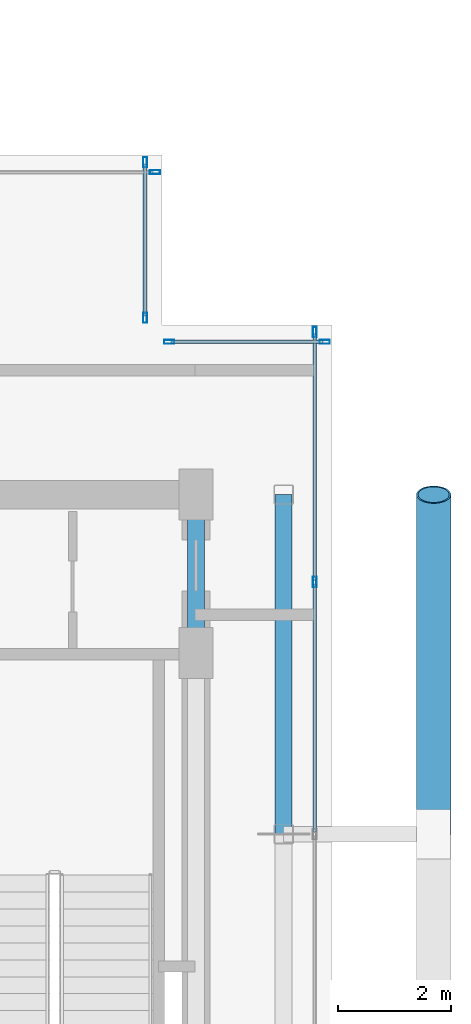
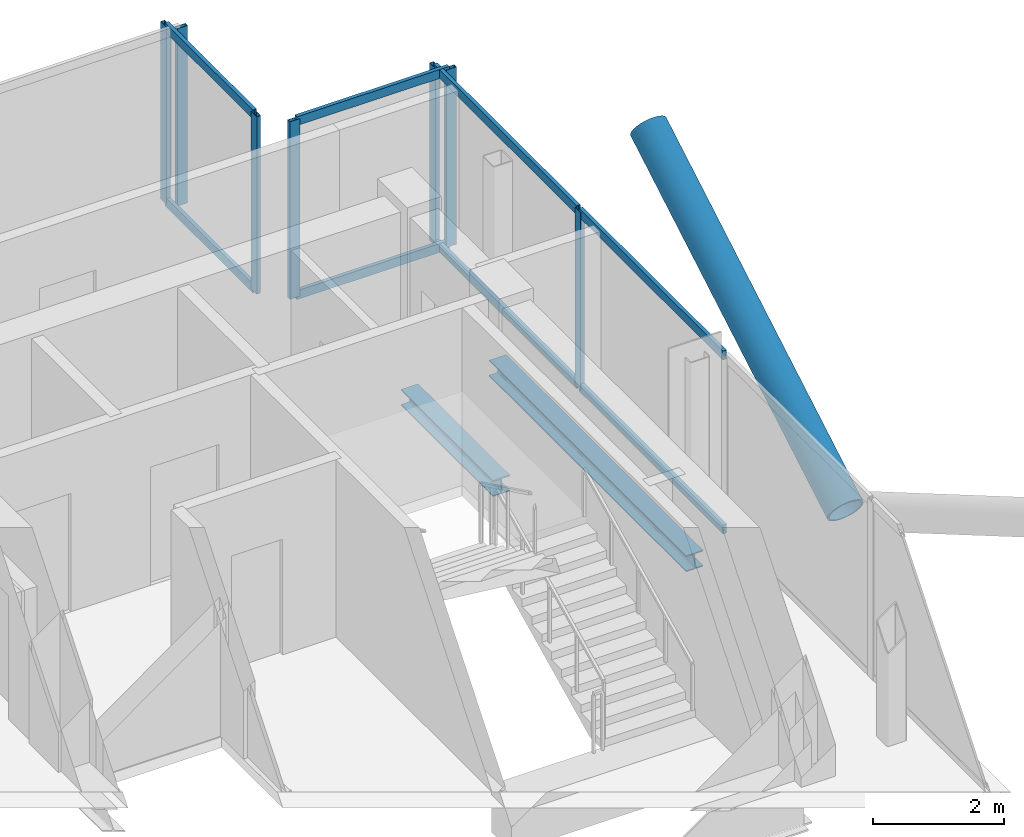
# One storey, part 12 of 18: 16 members, 2 beams, 4 elements without a shape of their own.
"""IFC4 building model written with IfcOpenShell, lengths in metres."""

import ifcopenshell
import ifcopenshell.guid

model = None  # the IFC model being written
_history = None  # IfcOwnerHistory: only IFC2X3 demands one
_inside = {}  # id of a spatial element -> (the spatial element, [elements in it])
_under = {}  # id of a project, library or spatial element -> (it, [spatial elements below it])
_declared = {}  # id of a project -> (the project, [libraries it declares])
_typed = {}  # id of a type object -> (the type object, [elements of that type])
_made_of = {}  # id of a material, layer set ... -> (it, [elements and type objects made of it])


def new_model(schema):
    """Start an empty IFC model of exactly this schema.

    Asked for "IFC4X3", IfcOpenShell would pick the latest addendum, in which some entities
    have other attributes; the version numbers below select the first issue.
    IFC2X3 requires an IfcOwnerHistory on every rooted entity: one is made here for all.
    """
    global model, _history
    if schema == "IFC4X3":
        model = ifcopenshell.file(schema_version=(4, 3, 0, 0))
    else:
        model = ifcopenshell.file(schema=schema)
    _inside.clear()
    _under.clear()
    _declared.clear()
    _typed.clear()
    _made_of.clear()
    _history = None
    if model.schema == "IFC2X3":
        org = make("IfcOrganization", Name="unknown")
        user = make(
            "IfcPersonAndOrganization",
            ThePerson=make("IfcPerson", FamilyName="unknown"),
            TheOrganization=org,
        )
        app = make(
            "IfcApplication",
            ApplicationDeveloper=org,
            Version="unknown",
            ApplicationFullName="unknown",
            ApplicationIdentifier="unknown",
        )
        _history = make(
            "IfcOwnerHistory",
            OwningUser=user,
            OwningApplication=app,
            ChangeAction="ADDED",
            CreationDate=0,
        )
    return model


def make(cls, **values):
    """One entity of the class cls with the attributes given. An attribute that is None is left unset."""
    return model.create_entity(
        cls, **{name: value for name, value in values.items() if value is not None}
    )


def rooted(cls, **values):
    """An entity with a GlobalId (a new one), such as an element, a storey or a relation."""
    return make(cls, GlobalId=ifcopenshell.guid.new(), OwnerHistory=_history, **values)


def si_unit(unit_type, name, prefix=None):
    """IfcSIUnit, for example si_unit("LENGTHUNIT", "METRE", prefix="MILLI")."""
    return make("IfcSIUnit", UnitType=unit_type, Prefix=prefix, Name=name)


def assignment(units):
    """IfcUnitAssignment: the units of a project."""
    return None if units is None else make("IfcUnitAssignment", Units=units)


def point(xyz):
    """IfcCartesianPoint."""
    return None if xyz is None else make("IfcCartesianPoint", Coordinates=xyz)


def direction(xyz):
    """IfcDirection."""
    return None if xyz is None else make("IfcDirection", DirectionRatios=xyz)


def frame(location, z_axis=None, x_axis=None):
    """IfcAxis2Placement3D, a coordinate frame: its origin and axes. An axis left out is left unset."""
    return make(
        "IfcAxis2Placement3D",
        Location=point(location),
        Axis=direction(z_axis),
        RefDirection=direction(x_axis),
    )


def frame_2d(location, x_axis=None):
    """IfcAxis2Placement2D, a coordinate frame in the plane: its origin and x axis."""
    return make(
        "IfcAxis2Placement2D", Location=point(location), RefDirection=direction(x_axis)
    )


def origin():
    """The frame at (0, 0, 0) with its axes left unset."""
    return frame((0.0, 0.0, 0.0))


def origin_2d():
    """The frame at (0, 0) in the plane with its x axis left unset."""
    return frame_2d((0.0, 0.0))


def place(relative_to, where):
    """IfcLocalPlacement: puts the frame where relative to a parent placement (None: the world)."""
    return make(
        "IfcLocalPlacement", PlacementRelTo=relative_to, RelativePlacement=where
    )


def context(
    kind, dimensions, precision=None, world=None, true_north=None, identifier=None
):
    """IfcGeometricRepresentationContext, for example the 3D "Model" context."""
    return make(
        "IfcGeometricRepresentationContext",
        ContextIdentifier=identifier,
        ContextType=kind,
        CoordinateSpaceDimension=dimensions,
        Precision=precision,
        WorldCoordinateSystem=world,
        TrueNorth=true_north,
    )


def subcontext(parent, identifier, kind, view, scale=None):
    """IfcGeometricRepresentationSubContext, for example "Body" below "Model"."""
    return make(
        "IfcGeometricRepresentationSubContext",
        ContextIdentifier=identifier,
        ContextType=kind,
        ParentContext=parent,
        TargetScale=scale,
        TargetView=view,
    )


def project(units=None, contexts=None):
    """IfcProject with its units and contexts."""
    return rooted(
        "IfcProject",
        Name="project",
        RepresentationContexts=contexts,
        UnitsInContext=assignment(units),
    )


def spatial(cls, under=None, at=None, **own):
    """A site, building, storey or space (cls), placed at a placement, below another one or the project."""
    s = rooted(cls, ObjectPlacement=at, **own)
    if under is not None:
        _under.setdefault(under.id(), (under, []))[1].append(s)
    return s


def profile(cls, at=None, kind="AREA", **sizes):
    """A parametric profile (cls). Its sizes go by their IFC names, for example OverallWidth=200.0."""
    return make(cls, ProfileType=kind, Position=at, **sizes)


def hollow_rectangle(**sizes):
    """IfcRectangleHollowProfileDef."""
    return profile("IfcRectangleHollowProfileDef", **sizes)


def hollow_circle(**sizes):
    """IfcCircleHollowProfileDef."""
    return profile("IfcCircleHollowProfileDef", **sizes)


def i_section(**sizes):
    """IfcIShapeProfileDef."""
    return profile("IfcIShapeProfileDef", **sizes)


def extrude(swept, where, along, depth):
    """IfcExtrudedAreaSolid: the profile swept, set in the frame where, extruded along a direction by depth."""
    return make(
        "IfcExtrudedAreaSolid",
        SweptArea=swept,
        Position=where,
        ExtrudedDirection=direction(along),
        Depth=depth,
    )


def shape(context_of_items, identifier, shape_type, items):
    """IfcShapeRepresentation: the items that make up one representation, for example the "Body"."""
    return make(
        "IfcShapeRepresentation",
        ContextOfItems=context_of_items,
        RepresentationIdentifier=identifier,
        RepresentationType=shape_type,
        Items=items,
    )


def material(Name=None, Category=None):
    """IfcMaterial."""
    return make("IfcMaterial", Name=Name, Category=Category)


def layer(
    of_material, thickness, ventilated=None, Name=None, Category=None, Priority=None
):
    """IfcMaterialLayer: one layer of a wall or slab, of a material (None: an air gap)."""
    return make(
        "IfcMaterialLayer",
        Material=of_material,
        LayerThickness=thickness,
        IsVentilated=ventilated,
        Name=Name,
        Category=Category,
        Priority=Priority,
    )


def layer_set(layers, Name=None):
    """IfcMaterialLayerSet."""
    return make("IfcMaterialLayerSet", MaterialLayers=layers, LayerSetName=Name)


def material_profile(
    of_material, cross_section, Name=None, Category=None, Priority=None
):
    """IfcMaterialProfile: a cross section and its material."""
    return make(
        "IfcMaterialProfile",
        Name=Name,
        Material=of_material,
        Profile=cross_section,
        Priority=Priority,
        Category=Category,
    )


def profile_set(profiles, Name=None, composite=None):
    """IfcMaterialProfileSet."""
    return make(
        "IfcMaterialProfileSet",
        Name=Name,
        MaterialProfiles=profiles,
        CompositeProfile=composite,
    )


def made_of(thing, what):
    """Note that an element or type object is made of a material, layer set ...; save() writes the relation."""
    if what is not None:
        _made_of.setdefault(what.id(), (what, []))[1].append(thing)
    return thing


def type_object(cls, material=None, **own):
    """A type object (cls), such as IfcWallType, which elements share."""
    return made_of(rooted(cls, **own), material)


def element(
    cls,
    number,
    at=None,
    inside=None,
    cuts=None,
    type_object=None,
    material=None,
    context=None,
    identifier="Body",
    shape_type=None,
    held_by="IfcProductDefinitionShape",
    body=None,
    shapes=None,
    **own,
):
    """One element of the class cls, such as IfcWall. Its Tag is "e" and its number.

    at: its placement. inside: the storey or other place that contains it. cuts: it is an
    opening in that element (IfcRelVoidsElement). A single representation is given by context,
    identifier, shape_type and body (its items); several are given by shapes. held_by: the class
    of the entity that holds the representations. save() writes the other relations.
    """
    e = rooted(cls, Tag="e%d" % number, ObjectPlacement=at, **own)
    if body is not None:
        shapes = [shape(context, identifier, shape_type, body)]
    if shapes is not None:
        e.Representation = make(held_by, Representations=shapes)
    if inside is not None:
        _inside.setdefault(inside.id(), (inside, []))[1].append(e)
    if cuts is not None:
        rooted(
            "IfcRelVoidsElement", RelatingBuildingElement=cuts, RelatedOpeningElement=e
        )
    if type_object is not None:
        _typed.setdefault(type_object.id(), (type_object, []))[1].append(e)
    return made_of(e, material)


def aggregate(whole, parts):
    """IfcRelAggregates: a whole, such as a stair, and the parts it consists of."""
    return rooted("IfcRelAggregates", RelatingObject=whole, RelatedObjects=parts)


def save(model, path):
    """Write the relations noted so far, then the file.

    IfcRelAggregates (storeys below a building ...), IfcRelContainedInSpatialStructure (elements
    in a storey), IfcRelDefinesByType, IfcRelAssociatesMaterial and IfcRelDeclares: one each for
    every whole, place, type object, material and project.
    """
    for whole, parts in _under.values():
        aggregate(whole, parts)
    for where, things in _inside.values():
        rooted(
            "IfcRelContainedInSpatialStructure",
            RelatedElements=things,
            RelatingStructure=where,
        )
    for kind, things in _typed.values():
        rooted("IfcRelDefinesByType", RelatedObjects=things, RelatingType=kind)
    for what, things in _made_of.values():
        rooted("IfcRelAssociatesMaterial", RelatedObjects=things, RelatingMaterial=what)
    for by, libraries in _declared.values():
        rooted("IfcRelDeclares", RelatingContext=by, RelatedDefinitions=libraries)
    model.write(path)


model = new_model("IFC4")

# Units and contexts
model_context = context("Model", 3, precision=1e-05, world=origin(), true_north=direction((0.0, 1.0)))
body_context = subcontext(model_context, "Body", "Model", "MODEL_VIEW")
ifc_project = project(units=[si_unit("LENGTHUNIT", "METRE"), si_unit("AREAUNIT", "SQUARE_METRE"), si_unit("VOLUMEUNIT", "CUBIC_METRE"), si_unit("PLANEANGLEUNIT", "RADIAN"), si_unit("MASSUNIT", "GRAM", prefix="KILO"), si_unit("THERMODYNAMICTEMPERATUREUNIT", "KELVIN"), si_unit("POWERUNIT", "WATT")], contexts=[model_context])

# Site, building, storey
site_placement = place(None, origin())
site = spatial("IfcSite", under=ifc_project, at=site_placement, CompositionType="ELEMENT")
building_placement = place(site_placement, origin())
building = spatial("IfcBuilding", under=site, at=building_placement, Name="Svarakhadi Broadcast Tower", CompositionType="ELEMENT")
storey_placement = place(building_placement, frame((0.0, 0.0, 281.699951171875)))
storey = spatial("IfcBuildingStorey", under=building, at=storey_placement, Name="L71", CompositionType="ELEMENT", Elevation=281.699951171875)

# Curtain wall, member
ifc_material_1 = material(Name="Anodised Bronze Aluminium AA 6063-T6", Category="aluminium")
ifc_layer = layer(ifc_material_1, 0.179931640625)
ifc_layer_set = layer_set([ifc_layer], Name="Anodised Bronze Aluminium AA 6063-T6")
curtain_wall_type = type_object("IfcCurtainWallType", Name="CW_Sys_05", PredefinedType="NOTDEFINED", material=ifc_layer_set)
curtain_wall_1_placement = place(storey_placement, origin())
curtain_wall_1 = element("IfcCurtainWall", 1, at=curtain_wall_1_placement, inside=storey, type_object=curtain_wall_type, Name="L71 Unitised Facade Curtain Wall 10", PredefinedType="NOTDEFINED")
ifc_material_profile_1 = material_profile(ifc_material_1, hollow_rectangle(XDim=0.070068359375, YDim=0.179931640625, WallThickness=0.005615234375, at=origin_2d()), Name="ALU MULLION 180x70x6")
ifc_profile_set_1 = profile_set([ifc_material_profile_1], Name="Anodised Bronze Aluminium AA 6063-T6")
member_type_1 = type_object("IfcMemberType", Name="CW_Sys_05_Mul", PredefinedType="MULLION", material=ifc_profile_set_1)
member_1_placement = place(storey_placement, frame((32.875, 23.699951171875, 0.0), z_axis=(0.0, 0.0, 1.0), x_axis=(0.0, 1.0, 0.0)))
member_1 = element("IfcMember", 2, at=member_1_placement, type_object=member_type_1, Name="CW-05 mullion 2", PredefinedType="MULLION", context=body_context, shape_type="SweptSolid", body=[
    extrude(hollow_rectangle(XDim=0.070068359375, YDim=0.179931640625, WallThickness=0.005615234375, at=origin_2d()), origin(), (0.0, 0.0, 1.0), 3.300048828125),
])
aggregate(curtain_wall_1, [member_1])

# Curtain wall, members
curtain_wall_2_placement = place(storey_placement, origin())
curtain_wall_2 = element("IfcCurtainWall", 3, at=curtain_wall_2_placement, inside=storey, type_object=curtain_wall_type, Name="L71 Unitised Facade Curtain Wall 11", PredefinedType="NOTDEFINED")
member_2_placement = place(storey_placement, frame((32.699951171875, 23.875, 0.0), z_axis=(0.0, 0.0, 1.0), x_axis=(1.0, 0.0, 0.0)))
member_2 = element("IfcMember", 4, at=member_2_placement, type_object=member_type_1, Name="CW-05 mullion 1", PredefinedType="MULLION", context=body_context, shape_type="SweptSolid", body=[
    extrude(hollow_rectangle(XDim=0.070068359375, YDim=0.179931640625, WallThickness=0.005615234375, at=origin_2d()), origin(), (0.0, 0.0, 1.0), 3.300048828125),
])
member_3_placement = place(storey_placement, frame((32.699951171875, 21.125, 0.0), z_axis=(0.0, 0.0, 1.0), x_axis=(1.0, 0.0, 0.0)))
member_3 = element("IfcMember", 5, at=member_3_placement, type_object=member_type_1, Name="CW-05 mullion 2", PredefinedType="MULLION", context=body_context, shape_type="SweptSolid", body=[
    extrude(hollow_rectangle(XDim=0.070068359375, YDim=0.179931640625, WallThickness=0.005615234375, at=origin_2d()), origin(), (0.0, 0.0, 1.0), 3.300048828125),
])

curtain_wall_3_placement = place(storey_placement, origin())
curtain_wall_3 = element("IfcCurtainWall", 6, at=curtain_wall_3_placement, inside=storey, type_object=curtain_wall_type, Name="L71 Unitised Facade Curtain Wall 12", PredefinedType="NOTDEFINED")
member_4_placement = place(storey_placement, frame((33.125, 20.699951171875, 0.0), z_axis=(0.0, 0.0, 1.0), x_axis=(0.0, 1.0, 0.0)))
member_4 = element("IfcMember", 7, at=member_4_placement, type_object=member_type_1, Name="CW-05 mullion 1", PredefinedType="MULLION", context=body_context, shape_type="SweptSolid", body=[
    extrude(hollow_rectangle(XDim=0.070068359375, YDim=0.179931640625, WallThickness=0.005615234375, at=origin_2d()), origin(), (0.0, 0.0, 1.0), 3.300048828125),
])
member_5_placement = place(storey_placement, frame((35.875, 20.699951171875, 0.0), z_axis=(0.0, 0.0, 1.0), x_axis=(0.0, 1.0, 0.0)))
member_5 = element("IfcMember", 8, at=member_5_placement, type_object=member_type_1, Name="CW-05 mullion 2", PredefinedType="MULLION", context=body_context, shape_type="SweptSolid", body=[
    extrude(hollow_rectangle(XDim=0.070068359375, YDim=0.179931640625, WallThickness=0.005615234375, at=origin_2d()), origin(), (0.0, 0.0, 1.0), 3.300048828125),
])

curtain_wall_4_placement = place(storey_placement, origin())
curtain_wall_4 = element("IfcCurtainWall", 9, at=curtain_wall_4_placement, inside=storey, type_object=curtain_wall_type, Name="L71 Unitised Facade Curtain Wall 13", PredefinedType="NOTDEFINED")
member_6_placement = place(storey_placement, frame((35.699951171875, 20.875, 0.0), z_axis=(0.0, 0.0, 1.0), x_axis=(1.0, 0.0, 0.0)))
member_6 = element("IfcMember", 10, at=member_6_placement, type_object=member_type_1, Name="CW-05 mullion 1", PredefinedType="MULLION", context=body_context, shape_type="SweptSolid", body=[
    extrude(hollow_rectangle(XDim=0.070068359375, YDim=0.179931640625, WallThickness=0.005615234375, at=origin_2d()), origin(), (0.0, 0.0, 1.0), 3.300048828125),
])
member_7_placement = place(storey_placement, frame((35.699951171875, 16.455078125, 0.0), z_axis=(0.0, 0.0, 1.0), x_axis=(1.0, 0.0, 0.0)))
member_7 = element("IfcMember", 11, at=member_7_placement, type_object=member_type_1, Name="CW-05 mullion 2", PredefinedType="MULLION", context=body_context, shape_type="SweptSolid", body=[
    extrude(hollow_rectangle(XDim=0.070068359375, YDim=0.179931640625, WallThickness=0.005615234375, at=origin_2d()), origin(), (0.0, 0.0, 1.0), 3.300048828125),
])

# Member
ifc_material_profile_2 = material_profile(ifc_material_1, hollow_rectangle(XDim=0.06494140625, YDim=0.1650390625, WallThickness=0.0048828125, at=origin_2d()), Name="ALU TRANSOM 165x65x5")
ifc_profile_set_2 = profile_set([ifc_material_profile_2], Name="Anodised Bronze Aluminium AA 6063-T6")
member_type_2 = type_object("IfcMemberType", Name="CW_Sys_05_Trn", PredefinedType="USERDEFINED", material=ifc_profile_set_2)
member_8_placement = place(storey_placement, frame((32.699951171875, 23.840087890625, 0.032470703125), z_axis=(0.0, -1.0, 0.0), x_axis=(1.0, 0.0, 0.0)))
member_8 = element("IfcMember", 12, at=member_8_placement, type_object=member_type_2, Name="CW-05 transom 1.1", ObjectType="TRANSOM", PredefinedType="USERDEFINED", context=body_context, shape_type="SweptSolid", body=[
    extrude(hollow_rectangle(XDim=0.06494140625, YDim=0.1650390625, WallThickness=0.0048828125, at=origin_2d()), origin(), (0.0, 0.0, 1.0), 2.68017578125),
])

member_9_placement = place(storey_placement, frame((32.699951171875, 23.840087890625, 3.267578125), z_axis=(0.0, -1.0, 0.0), x_axis=(1.0, 0.0, 0.0)))
member_9 = element("IfcMember", 13, at=member_9_placement, type_object=member_type_2, Name="CW-05 transom 1.2", ObjectType="TRANSOM", PredefinedType="USERDEFINED", context=body_context, shape_type="SweptSolid", body=[
    extrude(hollow_rectangle(XDim=0.06494140625, YDim=0.1650390625, WallThickness=0.0048828125, at=origin_2d()), origin(), (0.0, 0.0, 1.0), 2.68017578125),
])

aggregate(curtain_wall_2, [member_2, member_3, member_8, member_9])

member_10_placement = place(storey_placement, frame((33.159912109375, 20.699951171875, 0.032470703125), z_axis=(1.0, 0.0, 0.0), x_axis=(0.0, 1.0, 0.0)))
member_10 = element("IfcMember", 14, at=member_10_placement, type_object=member_type_2, Name="CW-05 transom 1.1", ObjectType="TRANSOM", PredefinedType="USERDEFINED", context=body_context, shape_type="SweptSolid", body=[
    extrude(hollow_rectangle(XDim=0.06494140625, YDim=0.1650390625, WallThickness=0.0048828125, at=origin_2d()), origin(), (0.0, 0.0, 1.0), 2.68017578125),
])

member_11_placement = place(storey_placement, frame((33.159912109375, 20.699951171875, 3.267578125), z_axis=(1.0, 0.0, 0.0), x_axis=(0.0, 1.0, 0.0)))
member_11 = element("IfcMember", 15, at=member_11_placement, type_object=member_type_2, Name="CW-05 transom 1.2", ObjectType="TRANSOM", PredefinedType="USERDEFINED", context=body_context, shape_type="SweptSolid", body=[
    extrude(hollow_rectangle(XDim=0.06494140625, YDim=0.1650390625, WallThickness=0.0048828125, at=origin_2d()), origin(), (0.0, 0.0, 1.0), 2.68017578125),
])

aggregate(curtain_wall_3, [member_4, member_5, member_10, member_11])

member_12_placement = place(storey_placement, frame((35.699951171875, 20.840087890625, 0.032470703125), z_axis=(0.0, -1.0, 0.0), x_axis=(1.0, 0.0, 0.0)))
member_12 = element("IfcMember", 16, at=member_12_placement, type_object=member_type_2, Name="CW-05 transom 1.1", ObjectType="TRANSOM", PredefinedType="USERDEFINED", context=body_context, shape_type="SweptSolid", body=[
    extrude(hollow_rectangle(XDim=0.06494140625, YDim=0.1650390625, WallThickness=0.0048828125, at=origin_2d()), origin(), (0.0, 0.0, 1.0), 4.35009765625),
])

member_13_placement = place(storey_placement, frame((35.699951171875, 20.840087890625, 3.267578125), z_axis=(0.0, -1.0, 0.0), x_axis=(1.0, 0.0, 0.0)))
member_13 = element("IfcMember", 17, at=member_13_placement, type_object=member_type_2, Name="CW-05 transom 1.2", ObjectType="TRANSOM", PredefinedType="USERDEFINED", context=body_context, shape_type="SweptSolid", body=[
    extrude(hollow_rectangle(XDim=0.06494140625, YDim=0.1650390625, WallThickness=0.0048828125, at=origin_2d()), origin(), (0.0, 0.0, 1.0), 4.35009765625),
])

member_14_placement = place(storey_placement, frame((35.699951171875, 16.419921875, 0.032470703125), z_axis=(0.0, -1.0, 0.0), x_axis=(1.0, 0.0, 0.0)))
member_14 = element("IfcMember", 18, at=member_14_placement, type_object=member_type_2, Name="CW-05 transom 2.1", ObjectType="TRANSOM", PredefinedType="USERDEFINED", context=body_context, shape_type="SweptSolid", body=[
    extrude(hollow_rectangle(XDim=0.06494140625, YDim=0.1650390625, WallThickness=0.0048828125, at=origin_2d()), origin(), (0.0, 0.0, 1.0), 4.385009765625),
])

member_15_placement = place(storey_placement, frame((35.699951171875, 16.419921875, 3.267578125), z_axis=(0.0, -1.0, 0.0), x_axis=(1.0, 0.0, 0.0)))
member_15 = element("IfcMember", 19, at=member_15_placement, type_object=member_type_2, Name="CW-05 transom 2.2", ObjectType="TRANSOM", PredefinedType="USERDEFINED", context=body_context, shape_type="SweptSolid", body=[
    extrude(hollow_rectangle(XDim=0.06494140625, YDim=0.1650390625, WallThickness=0.0048828125, at=origin_2d()), origin(), (0.0, 0.0, 1.0), 4.385009765625),
])

aggregate(curtain_wall_4, [member_6, member_7, member_12, member_13, member_14, member_15])

ifc_material_2 = material(Name="Steel S460ML (IS 2062 E450BR)", Category="steel")
ifc_material_profile_3 = material_profile(ifc_material_2, hollow_circle(Radius=0.304931640625, WallThickness=0.030029296875, at=origin_2d()), Name="CHS 610x30")
ifc_profile_set_3 = profile_set([ifc_material_profile_3], Name="Steel S460ML (IS 2062 E450BR)")
member_type_3 = type_object("IfcMemberType", Name="Exo_Brace_CHS610", PredefinedType="BRACE", material=ifc_profile_set_3)
member_16_placement = place(storey_placement, frame((37.800048828125, 12.0, -0.33642578125), z_axis=(0.0, 0.863778900898, 0.503871025524), x_axis=(-1.0, 0.0, 0.0)))
element("IfcMember", 20, at=member_16_placement, inside=storey, type_object=member_type_3, Name="L71 Exposed Bronze Exoskeleton Diagonal E03", PredefinedType="BRACE", context=body_context, shape_type="SweptSolid", body=[
    extrude(hollow_circle(Radius=0.304931640625, WallThickness=0.030029296875, at=origin_2d()), origin(), (0.0, 0.0, 1.0), 6.9462890625),
])

# Beams
ifc_material_3 = material(Name="Steel S355J2 (IS 2062 E350C)", Category="steel")
ifc_material_profile_4 = material_profile(ifc_material_3, i_section(OverallWidth=0.300048828125, OverallDepth=0.300048828125, WebThickness=0.010986328125, FlangeThickness=0.01904296875, FilletRadius=0.027099609375, at=origin_2d()), Name="WPB 300x300x117")
ifc_profile_set_4 = profile_set([ifc_material_profile_4], Name="Steel S355J2 (IS 2062 E350C)")
beam_type = type_object("IfcBeamType", Name="Girder_WPB300", PredefinedType="USERDEFINED", material=ifc_profile_set_4)
beam_1_placement = place(storey_placement, frame((33.60009765625, 15.199951171875, -0.349853515625), z_axis=(0.0, 1.0, 0.0), x_axis=(-1.0, 0.0, 0.0)))
element("IfcBeam", 21, at=beam_1_placement, inside=storey, type_object=beam_type, Name="L71 Primary N-S Girder G044", ObjectType="GIRDER", PredefinedType="USERDEFINED", context=body_context, shape_type="SweptSolid", body=[
    extrude(i_section(OverallWidth=0.300048828125, OverallDepth=0.300048828125, WebThickness=0.010986328125, FlangeThickness=0.01904296875, FilletRadius=0.027099609375, at=origin_2d()), origin(), (0.0, 0.0, 1.0), 2.800048828125),
])
beam_2_placement = place(storey_placement, frame((35.14990234375, 12.0, -0.349853515625), z_axis=(0.0, 1.0, 0.0), x_axis=(-1.0, 0.0, 0.0)))
element("IfcBeam", 22, at=beam_2_placement, inside=storey, type_object=beam_type, Name="L71 Primary N-S Girder G046", ObjectType="GIRDER", PredefinedType="USERDEFINED", context=body_context, shape_type="SweptSolid", body=[
    extrude(i_section(OverallWidth=0.300048828125, OverallDepth=0.300048828125, WebThickness=0.010986328125, FlangeThickness=0.01904296875, FilletRadius=0.027099609375, at=origin_2d()), origin(), (0.0, 0.0, 1.0), 6.0),
])

save(model, "model.ifc")
